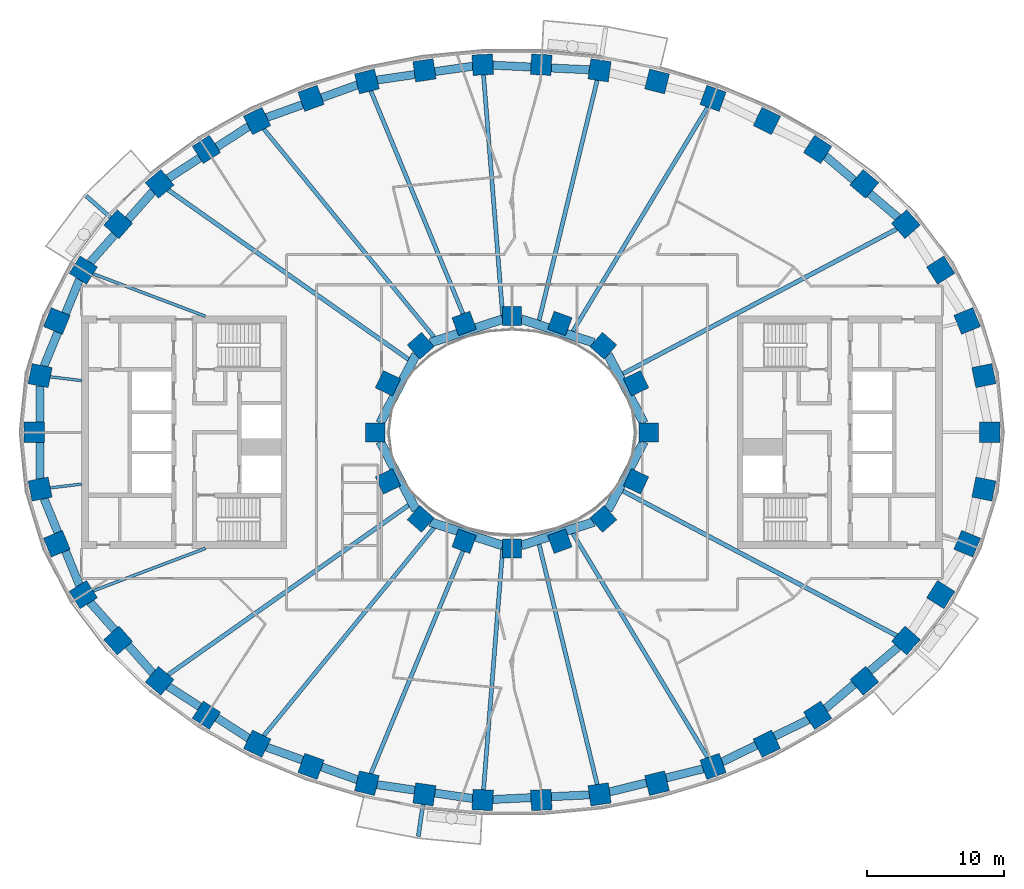
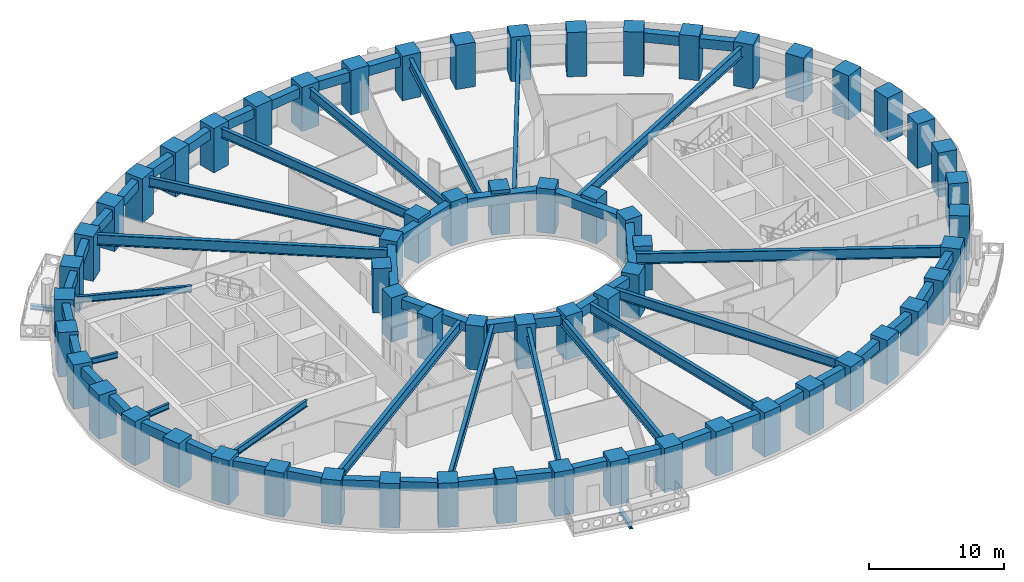
# One storey, part 1 of 16: 62 columns, 45 beams.
"""IFC4 building model written with IfcOpenShell, lengths in metres."""

from ifc_helpers import new_model, si_unit, direction, frame, origin, origin_2d, place, context, subcontext, project, spatial, rectangle, i_section, extrude, material, material_profile, profile_set, type_object, element, save


model = new_model("IFC4")

# Units and contexts
model_context = context("Model", 3, precision=1e-05, world=origin(), true_north=direction((0.0, 1.0)))
body_context = subcontext(model_context, "Body", "Model", "MODEL_VIEW")
ifc_project = project(units=[si_unit("LENGTHUNIT", "METRE"), si_unit("AREAUNIT", "SQUARE_METRE"), si_unit("VOLUMEUNIT", "CUBIC_METRE"), si_unit("PLANEANGLEUNIT", "RADIAN"), si_unit("MASSUNIT", "GRAM", prefix="KILO")], contexts=[model_context])

# Site, building, storey
site_placement = place(None, origin())
site = spatial("IfcSite", under=ifc_project, at=site_placement, CompositionType="ELEMENT")
building_placement = place(site_placement, origin())
building = spatial("IfcBuilding", under=site, at=building_placement, Name="Noorbagh Ring Tower", CompositionType="ELEMENT")
storey_placement = place(building_placement, frame((0.0, 0.0, 46.5)))
storey = spatial("IfcBuildingStorey", under=building, at=storey_placement, Name="L09", CompositionType="ELEMENT", Elevation=46.5)

# Columns
ifc_material_1 = material(Name="Concrete C70/85", Category="concrete")
ifc_material_profile_1 = material_profile(ifc_material_1, rectangle(XDim=1.5, YDim=1.5, at=origin_2d()), Name="RC1500x1500")
ifc_profile_set_1 = profile_set([ifc_material_profile_1], Name="Concrete C70/85")
column_type_1 = type_object("IfcColumnType", Name="STR-COL-RC1500x1500-C70-85", PredefinedType="COLUMN", material=ifc_profile_set_1)
for number, where, z_axis, x_axis, name in (
    (1, (34.944580078125, 0.0, 0.0), (0.0, 0.0, 1.0), (0.0, 1.0, 0.0), "L09/col/R1-01"),
    (2, (34.52685546875, 4.150634765625, 0.0), (0.0, 0.0, 1.0), (-0.19723040178, 0.9803571638, 0.0), "L09/col/R1-02"),
    (3, (33.30517578125, 8.1494140625, 0.0), (0.0, 0.0, 1.0), (-0.378989499959, 0.925400971969, 0.0), "L09/col/R1-03"),
    (4, (31.364990234375, 11.87109375, 0.0), (0.0, 0.0, 1.0), (-0.535190403059, 0.844731455833, 0.0), "L09/col/R1-04"),
    (5, (28.81884765625, 15.23046875, 0.0), (0.0, 0.0, 1.0), (-0.662635642662, 0.748941923699, 0.0), "L09/col/R1-05"),
    (6, (25.78271484375, 18.180419921875, 0.0), (0.0, 0.0, 1.0), (-0.763035199656, 0.646356932419, 0.0), "L09/col/R1-06"),
    (7, (22.362060546875, 20.699951171875, 0.0), (0.0, 0.0, 1.0), (-0.840247639643, 0.542202825586, 0.0), "L09/col/R1-07"),
    (8, (18.646240234375, 22.785400390625, 0.0), (0.0, 0.0, 1.0), (-0.898399080868, 0.439180021741, 0.0), "L09/col/R1-08"),
    (9, (14.70947265625, 24.44091796875, 0.0), (0.0, 0.0, 1.0), (-0.941024726094, 0.338337797003, 0.0), "L09/col/R1-09"),
    (10, (10.61328125, 25.673583984375, 0.0), (0.0, 0.0, 1.0), (-0.970829360981, 0.239771457553, 0.0), "L09/col/R1-10"),
    (11, (6.4091796875, 26.49072265625, 0.0), (0.0, 0.0, 1.0), (-0.989713114048, 0.143066249975, 0.0), "L09/col/R1-11"),
    (12, (2.14306640625, 26.89794921875, 0.0), (0.0, 0.0, 1.0), (-0.998868731212, 0.047552684538, 0.0), "L09/col/R1-12"),
    (13, (-2.14306640625, 26.89794921875, 0.0), (0.0, 0.0, 1.0), (-0.998868731212, -0.047552684538, 0.0), "L09/col/R1-13"),
    (14, (-6.4091796875, 26.49072265625, 0.0), (0.0, 0.0, 1.0), (-0.989713114048, -0.143066249975, 0.0), "L09/col/R1-14"),
    (15, (-10.61328125, 25.673583984375, 0.0), (0.0, 0.0, 1.0), (-0.970829360981, -0.239771457553, 0.0), "L09/col/R1-15"),
    (16, (-14.70947265625, 24.44091796875, 0.0), (0.0, 0.0, 1.0), (-0.941024726094, -0.338337797003, 0.0), "L09/col/R1-16"),
    (17, (-18.646240234375, 22.785400390625, 0.0), (0.0, 0.0, 1.0), (-0.898399080868, -0.439180021741, 0.0), "L09/col/R1-17"),
    (18, (-22.362060546875, 20.699951171875, 0.0), (0.0, 0.0, 1.0), (-0.840247639643, -0.542202825586, 0.0), "L09/col/R1-18"),
    (19, (-25.78271484375, 18.180419921875, 0.0), (0.0, 0.0, 1.0), (-0.763035199656, -0.646356932419, 0.0), "L09/col/R1-19"),
    (20, (-28.81884765625, 15.23046875, 0.0), (0.0, 0.0, 1.0), (-0.662635642662, -0.748941923699, 0.0), "L09/col/R1-20"),
    (21, (-31.364990234375, 11.87109375, 0.0), (0.0, 0.0, 1.0), (-0.535190403059, -0.844731455833, 0.0), "L09/col/R1-21"),
    (22, (-33.30517578125, 8.1494140625, 0.0), (0.0, 0.0, 1.0), (-0.378989499959, -0.925400971969, 0.0), "L09/col/R1-22"),
    (23, (-34.52685546875, 4.150634765625, 0.0), (0.0, 0.0, 1.0), (-0.19723040178, -0.9803571638, 0.0), "L09/col/R1-23"),
    (24, (-34.944580078125, 0.0, 0.0), (0.0, 0.0, 1.0), (0.0, -1.0, 0.0), "L09/col/R1-24"),
    (25, (-34.52685546875, -4.150634765625, 0.0), (0.0, 0.0, 1.0), (0.19723040178, -0.9803571638, 0.0), "L09/col/R1-25"),
    (26, (-33.30517578125, -8.1494140625, 0.0), (0.0, 0.0, 1.0), (0.378989499959, -0.925400971969, 0.0), "L09/col/R1-26"),
    (27, (-31.364990234375, -11.87109375, 0.0), (0.0, 0.0, 1.0), (0.535190403059, -0.844731455833, 0.0), "L09/col/R1-27"),
    (28, (-28.81884765625, -15.23046875, 0.0), (0.0, 0.0, 1.0), (0.662635642662, -0.748941923699, 0.0), "L09/col/R1-28"),
    (29, (-25.78271484375, -18.180419921875, 0.0), (0.0, 0.0, 1.0), (0.763035199656, -0.646356932419, 0.0), "L09/col/R1-29"),
    (30, (-22.362060546875, -20.699951171875, 0.0), (0.0, 0.0, 1.0), (0.840247639643, -0.542202825586, 0.0), "L09/col/R1-30"),
    (31, (-18.646240234375, -22.785400390625, 0.0), (0.0, 0.0, 1.0), (0.898399080868, -0.439180021741, 0.0), "L09/col/R1-31"),
    (32, (-14.70947265625, -24.44091796875, 0.0), (0.0, 0.0, 1.0), (0.941024726094, -0.338337797003, 0.0), "L09/col/R1-32"),
    (33, (-10.61328125, -25.673583984375, 0.0), (0.0, 0.0, 1.0), (0.970829360981, -0.239771457553, 0.0), "L09/col/R1-33"),
    (34, (-6.4091796875, -26.49072265625, 0.0), (0.0, 0.0, 1.0), (0.989713114048, -0.143066249975, 0.0), "L09/col/R1-34"),
    (35, (-2.14306640625, -26.89794921875, 0.0), (0.0, 0.0, 1.0), (0.998868731212, -0.047552684538, 0.0), "L09/col/R1-35"),
    (36, (2.14306640625, -26.89794921875, 0.0), (0.0, 0.0, 1.0), (0.998868731212, 0.047552684538, 0.0), "L09/col/R1-36"),
    (37, (6.4091796875, -26.49072265625, 0.0), (0.0, 0.0, 1.0), (0.989713114048, 0.143066249975, 0.0), "L09/col/R1-37"),
    (38, (10.61328125, -25.673583984375, 0.0), (0.0, 0.0, 1.0), (0.970829360981, 0.239771457553, 0.0), "L09/col/R1-38"),
    (39, (14.70947265625, -24.44091796875, 0.0), (0.0, 0.0, 1.0), (0.941024726094, 0.338337797003, 0.0), "L09/col/R1-39"),
    (40, (18.646240234375, -22.785400390625, 0.0), (0.0, 0.0, 1.0), (0.898399080868, 0.439180021741, 0.0), "L09/col/R1-40"),
    (41, (22.362060546875, -20.699951171875, 0.0), (0.0, 0.0, 1.0), (0.840247639643, 0.542202825586, 0.0), "L09/col/R1-41"),
    (42, (25.78271484375, -18.180419921875, 0.0), (0.0, 0.0, 1.0), (0.763035199656, 0.646356932419, 0.0), "L09/col/R1-42"),
    (43, (28.81884765625, -15.23046875, 0.0), (0.0, 0.0, 1.0), (0.662635642662, 0.748941923699, 0.0), "L09/col/R1-43"),
    (44, (31.364990234375, -11.87109375, 0.0), (0.0, 0.0, 1.0), (0.535190403059, 0.844731455833, 0.0), "L09/col/R1-44"),
    (45, (33.30517578125, -8.1494140625, 0.0), (0.0, 0.0, 1.0), (0.378989499959, 0.925400971969, 0.0), "L09/col/R1-45"),
    (46, (34.52685546875, -4.150634765625, 0.0), (0.0, 0.0, 1.0), (0.19723040178, 0.9803571638, 0.0), "L09/col/R1-46"),
):
    element("IfcColumn", number, at=place(storey_placement, frame(where, z_axis=z_axis, x_axis=x_axis)), inside=storey, type_object=column_type_1, Name=name, PredefinedType="COLUMN", context=body_context, shape_type="SweptSolid", body=[
        extrude(rectangle(XDim=1.5, YDim=1.5, at=origin_2d()), origin(), (0.0, 0.0, 1.0), 4.0),
    ])
ifc_material_2 = material(Name="Concrete C70/85", Category="concrete")
ifc_material_profile_2 = material_profile(ifc_material_2, rectangle(XDim=1.39990234375, YDim=1.39990234375, at=origin_2d()), Name="RC1400x1400")
ifc_profile_set_2 = profile_set([ifc_material_profile_2], Name="Concrete C70/85")
column_type_2 = type_object("IfcColumnType", Name="STR-ICOL-RC1400x1400-C70-85", PredefinedType="COLUMN", material=ifc_profile_set_2)
for number, where, z_axis, x_axis, name in (
    (47, (10.00830078125, 0.0, 0.0), (0.0, 0.0, 1.0), (0.0, 1.0, 0.0), "L09/col/IR2-W01"),
    (48, (9.07568359375, 3.58837890625, 0.0), (0.0, 0.0, 1.0), (-0.428666979171, 0.903462573087, 0.0), "L09/col/IR2-W03"),
    (49, (6.68212890625, 6.333740234375, 0.0), (0.0, 0.0, 1.0), (-0.75102249095, 0.660276622399, 0.0), "L09/col/IR2-W05"),
    (50, (3.5009765625, 7.967041015625, 0.0), (0.0, 0.0, 1.0), (-0.939019578916, 0.343863679984, 0.0), "L09/col/IR2-W07"),
    (51, (0.0, 8.5029296875, 0.0), (0.0, 0.0, 1.0), (-1.0, 0.0, 0.0), "L09/col/IR2-W09"),
    (52, (-3.5009765625, 7.967041015625, 0.0), (0.0, 0.0, 1.0), (-0.939019578916, -0.343863679984, 0.0), "L09/col/IR2-W11"),
    (53, (-6.68212890625, 6.333740234375, 0.0), (0.0, 0.0, 1.0), (-0.75102249095, -0.660276622399, 0.0), "L09/col/IR2-W13"),
    (54, (-9.07568359375, 3.58837890625, 0.0), (0.0, 0.0, 1.0), (-0.428666979171, -0.903462573087, 0.0), "L09/col/IR2-W15"),
    (55, (-10.00830078125, 0.0, 0.0), (0.0, 0.0, 1.0), (0.0, -1.0, 0.0), "L09/col/IR2-W17"),
    (56, (-9.07568359375, -3.58837890625, 0.0), (0.0, 0.0, 1.0), (0.428666979171, -0.903462573087, 0.0), "L09/col/IR2-W19"),
    (57, (-6.68212890625, -6.333740234375, 0.0), (0.0, 0.0, 1.0), (0.75102249095, -0.660276622399, 0.0), "L09/col/IR2-W21"),
    (58, (-3.5009765625, -7.967041015625, 0.0), (0.0, 0.0, 1.0), (0.939019578916, -0.343863679984, 0.0), "L09/col/IR2-W23"),
    (59, (0.0, -8.5029296875, 0.0), (0.0, 0.0, 1.0), (1.0, 0.0, 0.0), "L09/col/IR2-W25"),
    (60, (3.5009765625, -7.967041015625, 0.0), (0.0, 0.0, 1.0), (0.939019578916, 0.343863679984, 0.0), "L09/col/IR2-W27"),
    (61, (6.68212890625, -6.333740234375, 0.0), (0.0, 0.0, 1.0), (0.75102249095, 0.660276622399, 0.0), "L09/col/IR2-W29"),
    (62, (9.07568359375, -3.58837890625, 0.0), (0.0, 0.0, 1.0), (0.428666979171, 0.903462573087, 0.0), "L09/col/IR2-W31"),
):
    element("IfcColumn", number, at=place(storey_placement, frame(where, z_axis=z_axis, x_axis=x_axis)), inside=storey, type_object=column_type_2, Name=name, PredefinedType="COLUMN", context=body_context, shape_type="SweptSolid", body=[
        extrude(rectangle(XDim=1.39990234375, YDim=1.39990234375, at=origin_2d()), origin(), (0.0, 0.0, 1.0), 4.0),
    ])

# Beams
ifc_material_3 = material(Name="Steel S355", Category="steel")
ifc_material_profile_3 = material_profile(ifc_material_3, i_section(OverallWidth=0.300048828125, OverallDepth=0.39990234375, WebThickness=0.013427734375, FlangeThickness=0.02392578125, FilletRadius=0.027099609375, at=origin_2d()), Name="HEB400")
ifc_profile_set_3 = profile_set([ifc_material_profile_3], Name="Steel S355")
beam_type_1 = type_object("IfcBeamType", Name="STR-BALCONY-BRACKET-HEB400", PredefinedType="BEAM", material=ifc_profile_set_3)
beam_1_placement = place(storey_placement, frame((-29.36572265625, 15.714111328125, -0.5), z_axis=(-0.749031813993, 0.662534030542, 0.0), x_axis=(-0.662534030542, -0.749031813993, 0.0)))
element("IfcBeam", 63, at=beam_1_placement, inside=storey, type_object=beam_type_1, Name="Balcony bracket beam BN06", PredefinedType="BEAM", context=body_context, shape_type="SweptSolid", body=[
    extrude(i_section(OverallWidth=0.300048828125, OverallDepth=0.39990234375, WebThickness=0.013427734375, FlangeThickness=0.02392578125, FilletRadius=0.027099609375, at=origin_2d()), origin(), (0.0, 0.0, 1.0), 2.37939453125),
])
beam_2_placement = place(storey_placement, frame((-6.513671875, -27.21337890625, -0.5), z_axis=(-0.143062628068, -0.989713637599, 0.0), x_axis=(0.989713637599, -0.143062628068, 0.0)))
element("IfcBeam", 64, at=beam_2_placement, inside=storey, type_object=beam_type_1, Name="Balcony bracket beam BS03", PredefinedType="BEAM", context=body_context, shape_type="SweptSolid", body=[
    extrude(i_section(OverallWidth=0.300048828125, OverallDepth=0.39990234375, WebThickness=0.013427734375, FlangeThickness=0.02392578125, FilletRadius=0.027099609375, at=origin_2d()), origin(), (0.0, 0.0, 1.0), 2.373779296875),
])
ifc_material_4 = material(Name="Steel S355", Category="steel")
ifc_material_profile_4 = material_profile(ifc_material_4, i_section(OverallWidth=0.199951171875, OverallDepth=0.5, WebThickness=0.01025390625, FlangeThickness=0.01611328125, FilletRadius=0.02099609375, at=origin_2d()), Name="IPE500")
ifc_profile_set_4 = profile_set([ifc_material_profile_4], Name="Steel S355")
beam_type_2 = type_object("IfcBeamType", Name="STR-RAD-IPE500", PredefinedType="BEAM", material=ifc_profile_set_4)
for number, where, z_axis, x_axis, name in (
    (65, (-33.799560546875, 4.063232421875, 3.449951171875), (0.992852090588, -0.119351272363, 0.0), (0.119351272363, 0.992852090588, 0.0), "L09/bm/RD23"),
    (66, (-33.799560546875, -4.063232421875, 3.449951171875), (0.992852090588, 0.119351272363, 0.0), (-0.119351272363, 0.992852090588, 0.0), "L09/bm/RD25"),
):
    element("IfcBeam", number, at=place(storey_placement, frame(where, z_axis=z_axis, x_axis=x_axis)), inside=storey, type_object=beam_type_2, Name=name, PredefinedType="BEAM", context=body_context, shape_type="SweptSolid", body=[
        extrude(i_section(OverallWidth=0.199951171875, OverallDepth=0.5, WebThickness=0.01025390625, FlangeThickness=0.01611328125, FilletRadius=0.02099609375, at=origin_2d()), origin(), (0.0, 0.0, 1.0), 2.3359375),
    ])
ifc_material_5 = material(Name="Steel S355", Category="steel")
ifc_material_profile_5 = material_profile(ifc_material_5, i_section(OverallWidth=0.219970703125, OverallDepth=0.60009765625, WebThickness=0.011962890625, FlangeThickness=0.01904296875, FilletRadius=0.02392578125, at=origin_2d()), Name="IPE600")
ifc_profile_set_5 = profile_set([ifc_material_profile_5], Name="Steel S355")
beam_type_3 = type_object("IfcBeamType", Name="STR-RAD-IPE600", PredefinedType="BEAM", material=ifc_profile_set_5)
for number, where, z_axis, x_axis, name in (
    (67, (-30.66748046875, 11.60693359375, 3.39990234375), (0.93525621499, -0.353971485184, 0.0), (0.353971485184, 0.93525621499, 0.0), "L09/bm/RD21"),
    (68, (-30.66748046875, -11.60693359375, 3.39990234375), (0.93525621499, 0.353971485184, 0.0), (-0.353971485184, 0.93525621499, 0.0), "L09/bm/RD27"),
):
    element("IfcBeam", number, at=place(storey_placement, frame(where, z_axis=z_axis, x_axis=x_axis)), inside=storey, type_object=beam_type_3, Name=name, PredefinedType="BEAM", context=body_context, shape_type="SweptSolid", body=[
        extrude(i_section(OverallWidth=0.219970703125, OverallDepth=0.60009765625, WebThickness=0.011962890625, FlangeThickness=0.01904296875, FilletRadius=0.02392578125, at=origin_2d()), origin(), (0.0, 0.0, 1.0), 8.79736328125),
    ])
ifc_material_6 = material(Name="Steel S355", Category="steel")
ifc_material_profile_6 = material_profile(ifc_material_6, i_section(OverallWidth=0.300048828125, OverallDepth=0.85009765625, WebThickness=0.013916015625, FlangeThickness=0.028076171875, at=origin_2d()), Name="PG850x300x14x28")
ifc_profile_set_6 = profile_set([ifc_material_profile_6], Name="Steel S355")
beam_type_4 = type_object("IfcBeamType", Name="STR-RAD-PG850x300x14x28", PredefinedType="BEAM", material=ifc_profile_set_6)
beam_3_placement = place(storey_placement, frame((14.325439453125, 23.802734375, 3.27490234375), z_axis=(-0.515656740038, -0.856795265191, 0.0), x_axis=(0.856795265191, -0.515656740038, 0.0)))
element("IfcBeam", 69, at=beam_3_placement, inside=storey, type_object=beam_type_4, Name="L09/bm/RD09", PredefinedType="BEAM", context=body_context, shape_type="SweptSolid", body=[
    extrude(i_section(OverallWidth=0.300048828125, OverallDepth=0.85009765625, WebThickness=0.013916015625, FlangeThickness=0.028076171875, at=origin_2d()), origin(), (0.0, 0.0, 1.0), 19.16552734375),
])
beam_4_placement = place(storey_placement, frame((6.23681640625, 25.778076171875, 3.27490234375), z_axis=(-0.235164261049, -0.971955642159, 0.0), x_axis=(0.971955642159, -0.235164261049, 0.0)))
element("IfcBeam", 70, at=beam_4_placement, inside=storey, type_object=beam_type_4, Name="L09/bm/RD11", PredefinedType="BEAM", context=body_context, shape_type="SweptSolid", body=[
    extrude(i_section(OverallWidth=0.300048828125, OverallDepth=0.85009765625, WebThickness=0.013916015625, FlangeThickness=0.028076171875, at=origin_2d()), origin(), (0.0, 0.0, 1.0), 18.104736328125),
])
beam_5_placement = place(storey_placement, frame((-2.085205078125, 26.169921875, 3.27490234375), z_axis=(0.079431823064, -0.996840300893, 0.0), x_axis=(0.996840300893, 0.079431823064, 0.0)))
element("IfcBeam", 71, at=beam_5_placement, inside=storey, type_object=beam_type_4, Name="L09/bm/RD13", PredefinedType="BEAM", context=body_context, shape_type="SweptSolid", body=[
    extrude(i_section(OverallWidth=0.300048828125, OverallDepth=0.85009765625, WebThickness=0.013916015625, FlangeThickness=0.028076171875, at=origin_2d()), origin(), (0.0, 0.0, 1.0), 18.05126953125),
])
beam_6_placement = place(storey_placement, frame((-10.3310546875, 24.9912109375, 3.27490234375), z_axis=(0.382027192106, -0.924151083152, 0.0), x_axis=(0.924151083152, 0.382027192106, 0.0)))
element("IfcBeam", 72, at=beam_6_placement, inside=storey, type_object=beam_type_4, Name="L09/bm/RD15", PredefinedType="BEAM", context=body_context, shape_type="SweptSolid", body=[
    extrude(i_section(OverallWidth=0.300048828125, OverallDepth=0.85009765625, WebThickness=0.013916015625, FlangeThickness=0.028076171875, at=origin_2d()), origin(), (0.0, 0.0, 1.0), 18.624267578125),
])
for number, where, z_axis, x_axis, name in (
    (73, (-18.1708984375, 22.20458984375, 3.27490234375), (0.633309388091, -0.773898713628, 0.0), (0.773898713628, 0.633309388091, 0.0), "L09/bm/RD17"),
    (74, (-18.1708984375, -22.20458984375, 3.27490234375), (0.633309388091, 0.773898713628, 0.0), (-0.773898713628, 0.633309388091, 0.0), "L09/bm/RD31"),
):
    element("IfcBeam", number, at=place(storey_placement, frame(where, z_axis=z_axis, x_axis=x_axis)), inside=storey, type_object=beam_type_4, Name=name, PredefinedType="BEAM", context=body_context, shape_type="SweptSolid", body=[
        extrude(i_section(OverallWidth=0.300048828125, OverallDepth=0.85009765625, WebThickness=0.013916015625, FlangeThickness=0.028076171875, at=origin_2d()), origin(), (0.0, 0.0, 1.0), 19.68212890625),
    ])
beam_7_placement = place(storey_placement, frame((-10.3310546875, -24.9912109375, 3.27490234375), z_axis=(0.382027192106, 0.924151083152, 0.0), x_axis=(-0.924151083152, 0.382027192106, 0.0)))
element("IfcBeam", 75, at=beam_7_placement, inside=storey, type_object=beam_type_4, Name="L09/bm/RD33", PredefinedType="BEAM", context=body_context, shape_type="SweptSolid", body=[
    extrude(i_section(OverallWidth=0.300048828125, OverallDepth=0.85009765625, WebThickness=0.013916015625, FlangeThickness=0.028076171875, at=origin_2d()), origin(), (0.0, 0.0, 1.0), 18.624267578125),
])
beam_8_placement = place(storey_placement, frame((-2.085205078125, -26.169921875, 3.27490234375), z_axis=(0.079431823064, 0.996840300893, 0.0), x_axis=(-0.996840300893, 0.079431823064, 0.0)))
element("IfcBeam", 76, at=beam_8_placement, inside=storey, type_object=beam_type_4, Name="L09/bm/RD35", PredefinedType="BEAM", context=body_context, shape_type="SweptSolid", body=[
    extrude(i_section(OverallWidth=0.300048828125, OverallDepth=0.85009765625, WebThickness=0.013916015625, FlangeThickness=0.028076171875, at=origin_2d()), origin(), (0.0, 0.0, 1.0), 18.05126953125),
])
beam_9_placement = place(storey_placement, frame((6.23681640625, -25.778076171875, 3.27490234375), z_axis=(-0.235164261049, 0.971955642159, 0.0), x_axis=(-0.971955642159, -0.235164261049, 0.0)))
element("IfcBeam", 77, at=beam_9_placement, inside=storey, type_object=beam_type_4, Name="L09/bm/RD37", PredefinedType="BEAM", context=body_context, shape_type="SweptSolid", body=[
    extrude(i_section(OverallWidth=0.300048828125, OverallDepth=0.85009765625, WebThickness=0.013916015625, FlangeThickness=0.028076171875, at=origin_2d()), origin(), (0.0, 0.0, 1.0), 18.104736328125),
])
beam_10_placement = place(storey_placement, frame((14.325439453125, -23.802734375, 3.27490234375), z_axis=(-0.515656740038, 0.856795265191, 0.0), x_axis=(-0.856795265191, -0.515656740038, 0.0)))
element("IfcBeam", 78, at=beam_10_placement, inside=storey, type_object=beam_type_4, Name="L09/bm/RD39", PredefinedType="BEAM", context=body_context, shape_type="SweptSolid", body=[
    extrude(i_section(OverallWidth=0.300048828125, OverallDepth=0.85009765625, WebThickness=0.013916015625, FlangeThickness=0.028076171875, at=origin_2d()), origin(), (0.0, 0.0, 1.0), 19.16552734375),
])
ifc_material_7 = material(Name="Steel S355", Category="steel")
ifc_material_profile_7 = material_profile(ifc_material_7, i_section(OverallWidth=0.320068359375, OverallDepth=0.949951171875, WebThickness=0.01611328125, FlangeThickness=0.030029296875, at=origin_2d()), Name="PG950x320x16x30")
ifc_profile_set_7 = profile_set([ifc_material_profile_7], Name="Steel S355")
beam_type_5 = type_object("IfcBeamType", Name="STR-RAD-PG950x320x16x30", PredefinedType="BEAM", material=ifc_profile_set_7)
beam_11_placement = place(storey_placement, frame((28.154052734375, 14.879150390625, 3.22509765625), z_axis=(-0.88412365795, -0.467252990844, 0.0), x_axis=(0.467252990844, -0.88412365795, 0.0)))
element("IfcBeam", 79, at=beam_11_placement, inside=storey, type_object=beam_type_5, Name="L09/bm/RD05", PredefinedType="BEAM", context=body_context, shape_type="SweptSolid", body=[
    extrude(i_section(OverallWidth=0.320068359375, OverallDepth=0.949951171875, WebThickness=0.01611328125, FlangeThickness=0.030029296875, at=origin_2d()), origin(), (0.0, 0.0, 1.0), 22.67822265625),
])
for number, where, z_axis, x_axis, name in (
    (80, (-25.165771484375, 17.745361328125, 3.22509765625), (0.817254439709, -0.576277000041, 0.0), (0.576277000041, 0.817254439709, 0.0), "L09/bm/RD19"),
    (81, (-25.165771484375, -17.745361328125, 3.22509765625), (0.817254439709, 0.576277000041, 0.0), (-0.576277000041, 0.817254439709, 0.0), "L09/bm/RD29"),
):
    element("IfcBeam", number, at=place(storey_placement, frame(where, z_axis=z_axis, x_axis=x_axis)), inside=storey, type_object=beam_type_5, Name=name, PredefinedType="BEAM", context=body_context, shape_type="SweptSolid", body=[
        extrude(i_section(OverallWidth=0.320068359375, OverallDepth=0.949951171875, WebThickness=0.01611328125, FlangeThickness=0.030029296875, at=origin_2d()), origin(), (0.0, 0.0, 1.0), 21.548095703125),
    ])
beam_12_placement = place(storey_placement, frame((28.154052734375, -14.879150390625, 3.22509765625), z_axis=(-0.88412365795, 0.467252990844, 0.0), x_axis=(-0.467252990844, -0.88412365795, 0.0)))
element("IfcBeam", 82, at=beam_12_placement, inside=storey, type_object=beam_type_5, Name="L09/bm/RD43", PredefinedType="BEAM", context=body_context, shape_type="SweptSolid", body=[
    extrude(i_section(OverallWidth=0.320068359375, OverallDepth=0.949951171875, WebThickness=0.01611328125, FlangeThickness=0.030029296875, at=origin_2d()), origin(), (0.0, 0.0, 1.0), 22.67822265625),
])
ifc_material_8 = material(Name="Concrete C40/50", Category="concrete")
ifc_material_profile_8 = material_profile(ifc_material_8, rectangle(XDim=0.64990234375, YDim=0.85009765625, at=origin_2d()), Name="RC650x850")
ifc_profile_set_8 = profile_set([ifc_material_profile_8], Name="Concrete C40/50")
beam_type_6 = type_object("IfcBeamType", Name="STR-RB-RC650x850-C40-50", PredefinedType="BEAM", material=ifc_profile_set_8)
beam_13_placement = place(storey_placement, frame((9.650146484375, 0.682373046875, 3.27490234375), z_axis=(-0.464950685644, 0.885336580019, 0.0), x_axis=(-0.885336580019, -0.464950685644, 0.0)))
element("IfcBeam", 83, at=beam_13_placement, inside=storey, type_object=beam_type_6, Name="L09/bm/RG01", PredefinedType="BEAM", context=body_context, shape_type="SweptSolid", body=[
    extrude(rectangle(XDim=0.64990234375, YDim=0.85009765625, at=origin_2d()), origin(), (0.0, 0.0, 1.0), 5.653564453125),
])
for number, where, z_axis, x_axis, name in (
    (84, (5.97607421875, 6.56298828125, 3.27490234375), (-0.951149054478, 0.3087320459, 0.0), (-0.3087320459, -0.951149054478, 0.0), "L09/bm/RG03"),
    (85, (-0.680908203125, 8.28173828125, 3.27490234375), (-0.951149054478, -0.3087320459, 0.0), (0.3087320459, -0.951149054478, 0.0), "L09/bm/RG05"),
):
    element("IfcBeam", number, at=place(storey_placement, frame(where, z_axis=z_axis, x_axis=x_axis)), inside=storey, type_object=beam_type_6, Name=name, PredefinedType="BEAM", context=body_context, shape_type="SweptSolid", body=[
        extrude(rectangle(XDim=0.64990234375, YDim=0.85009765625, at=origin_2d()), origin(), (0.0, 0.0, 1.0), 5.567138671875),
    ])
for number, where, z_axis, x_axis, name in (
    (86, (-7.021484375, 5.687744140625, 3.27490234375), (-0.464950685644, -0.885336580019, 0.0), (0.885336580019, -0.464950685644, 0.0), "L09/bm/RG07"),
    (87, (-9.650146484375, -0.682373046875, 3.27490234375), (0.464950685644, -0.885336580019, 0.0), (0.885336580019, 0.464950685644, 0.0), "L09/bm/RG09"),
):
    element("IfcBeam", number, at=place(storey_placement, frame(where, z_axis=z_axis, x_axis=x_axis)), inside=storey, type_object=beam_type_6, Name=name, PredefinedType="BEAM", context=body_context, shape_type="SweptSolid", body=[
        extrude(rectangle(XDim=0.64990234375, YDim=0.85009765625, at=origin_2d()), origin(), (0.0, 0.0, 1.0), 5.653564453125),
    ])
for number, where, z_axis, x_axis, name in (
    (88, (-5.97607421875, -6.56298828125, 3.27490234375), (0.951149054478, -0.3087320459, 0.0), (0.3087320459, 0.951149054478, 0.0), "L09/bm/RG11"),
    (89, (0.680908203125, -8.28173828125, 3.27490234375), (0.951149054478, 0.3087320459, 0.0), (-0.3087320459, 0.951149054478, 0.0), "L09/bm/RG13"),
):
    element("IfcBeam", number, at=place(storey_placement, frame(where, z_axis=z_axis, x_axis=x_axis)), inside=storey, type_object=beam_type_6, Name=name, PredefinedType="BEAM", context=body_context, shape_type="SweptSolid", body=[
        extrude(rectangle(XDim=0.64990234375, YDim=0.85009765625, at=origin_2d()), origin(), (0.0, 0.0, 1.0), 5.567138671875),
    ])
beam_14_placement = place(storey_placement, frame((7.021484375, -5.687744140625, 3.27490234375), z_axis=(0.464950685644, 0.885336580019, 0.0), x_axis=(-0.885336580019, 0.464950685644, 0.0)))
element("IfcBeam", 90, at=beam_14_placement, inside=storey, type_object=beam_type_6, Name="L09/bm/RG15", PredefinedType="BEAM", context=body_context, shape_type="SweptSolid", body=[
    extrude(rectangle(XDim=0.64990234375, YDim=0.85009765625, at=origin_2d()), origin(), (0.0, 0.0, 1.0), 5.653564453125),
])
ifc_material_9 = material(Name="Concrete C40/50", Category="concrete")
ifc_material_profile_9 = material_profile(ifc_material_9, rectangle(XDim=0.60009765625, YDim=0.85009765625, at=origin_2d()), Name="RC600x850")
ifc_profile_set_9 = profile_set([ifc_material_profile_9], Name="Concrete C40/50")
beam_type_7 = type_object("IfcBeamType", Name="STR-SB-RC600x850-C40-50", PredefinedType="BEAM", material=ifc_profile_set_9)
beam_15_placement = place(storey_placement, frame((28.255859375, 15.707275390625, 3.27490234375), z_axis=(-0.763024386832, 0.646369696922, 0.0), x_axis=(-0.646369696922, -0.763024386832, 0.0)))
element("IfcBeam", 91, at=beam_15_placement, inside=storey, type_object=beam_type_7, Name="L09/bm/SP05", PredefinedType="BEAM", context=body_context, shape_type="SweptSolid", body=[
    extrude(rectangle(XDim=0.60009765625, YDim=0.85009765625, at=origin_2d()), origin(), (0.0, 0.0, 1.0), 6.988037109375),
])
beam_16_placement = place(storey_placement, frame((5.676513671875, 26.525634765625, 3.27490234375), z_axis=(-0.998868682603, 0.047553705583, 0.0), x_axis=(-0.047553705583, -0.998868682603, 0.0)))
element("IfcBeam", 92, at=beam_16_placement, inside=storey, type_object=beam_type_7, Name="L09/bm/SP11", PredefinedType="BEAM", context=body_context, shape_type="SweptSolid", body=[
    extrude(rectangle(XDim=0.60009765625, YDim=0.85009765625, at=origin_2d()), origin(), (0.0, 0.0, 1.0), 7.09521484375),
])
beam_17_placement = place(storey_placement, frame((-2.869140625, 26.79296875, 3.27490234375), z_axis=(-0.989714712052, -0.14305519476, 0.0), x_axis=(0.14305519476, -0.989714712052, 0.0)))
element("IfcBeam", 93, at=beam_17_placement, inside=storey, type_object=beam_type_7, Name="L09/bm/SP13", PredefinedType="BEAM", context=body_context, shape_type="SweptSolid", body=[
    extrude(rectangle(XDim=0.60009765625, YDim=0.85009765625, at=origin_2d()), origin(), (0.0, 0.0, 1.0), 7.091064453125),
])
beam_18_placement = place(storey_placement, frame((-11.303955078125, 25.42529296875, 3.27490234375), z_axis=(-0.941024719218, -0.338337816127, 0.0), x_axis=(0.338337816127, -0.941024719218, 0.0)))
element("IfcBeam", 94, at=beam_18_placement, inside=storey, type_object=beam_type_7, Name="L09/bm/SP15", PredefinedType="BEAM", context=body_context, shape_type="SweptSolid", body=[
    extrude(rectangle(XDim=0.60009765625, YDim=0.85009765625, at=origin_2d()), origin(), (0.0, 0.0, 1.0), 7.06787109375),
])
beam_19_placement = place(storey_placement, frame((-19.26416015625, 22.38671875, 3.27490234375), z_axis=(-0.840248616013, -0.54220131251, 0.0), x_axis=(0.54220131251, -0.840248616013, 0.0)))
element("IfcBeam", 95, at=beam_19_placement, inside=storey, type_object=beam_type_7, Name="L09/bm/SP17", PredefinedType="BEAM", context=body_context, shape_type="SweptSolid", body=[
    extrude(rectangle(XDim=0.60009765625, YDim=0.85009765625, at=origin_2d()), origin(), (0.0, 0.0, 1.0), 7.021728515625),
])
beam_20_placement = place(storey_placement, frame((-26.271728515625, 17.627685546875, 3.27490234375), z_axis=(-0.662649709282, -0.748929477847, 0.0), x_axis=(0.748929477847, -0.662649709282, 0.0)))
element("IfcBeam", 96, at=beam_20_placement, inside=storey, type_object=beam_type_7, Name="L09/bm/SP19", PredefinedType="BEAM", context=body_context, shape_type="SweptSolid", body=[
    extrude(rectangle(XDim=0.60009765625, YDim=0.85009765625, at=origin_2d()), origin(), (0.0, 0.0, 1.0), 6.94677734375),
])
beam_21_placement = place(storey_placement, frame((-31.646240234375, 11.1845703125, 3.27490234375), z_axis=(-0.378965542347, -0.925410783228, 0.0), x_axis=(0.925410783228, -0.378965542347, 0.0)))
element("IfcBeam", 97, at=beam_21_placement, inside=storey, type_object=beam_type_7, Name="L09/bm/SP21", PredefinedType="BEAM", context=body_context, shape_type="SweptSolid", body=[
    extrude(rectangle(XDim=0.60009765625, YDim=0.85009765625, at=origin_2d()), origin(), (0.0, 0.0, 1.0), 6.857177734375),
])
beam_22_placement = place(storey_placement, frame((-34.52685546875, 3.40576171875, 3.27490234375), z_axis=(0.0, -1.0, 0.0), x_axis=(1.0, 0.0, 0.0)))
element("IfcBeam", 98, at=beam_22_placement, inside=storey, type_object=beam_type_7, Name="L09/bm/SP23", PredefinedType="BEAM", context=body_context, shape_type="SweptSolid", body=[
    extrude(rectangle(XDim=0.60009765625, YDim=0.85009765625, at=origin_2d()), origin(), (0.0, 0.0, 1.0), 6.8115234375),
])
beam_23_placement = place(storey_placement, frame((-34.244873046875, -4.8388671875, 3.27490234375), z_axis=(0.378965542347, -0.925410783228, 0.0), x_axis=(0.925410783228, 0.378965542347, 0.0)))
element("IfcBeam", 99, at=beam_23_placement, inside=storey, type_object=beam_type_7, Name="L09/bm/SP25", PredefinedType="BEAM", context=body_context, shape_type="SweptSolid", body=[
    extrude(rectangle(XDim=0.60009765625, YDim=0.85009765625, at=origin_2d()), origin(), (0.0, 0.0, 1.0), 6.857177734375),
])
beam_24_placement = place(storey_placement, frame((-30.875, -12.425048828125, 3.27490234375), z_axis=(0.662649709282, -0.748929477847, 0.0), x_axis=(0.748929477847, 0.662649709282, 0.0)))
element("IfcBeam", 100, at=beam_24_placement, inside=storey, type_object=beam_type_7, Name="L09/bm/SP27", PredefinedType="BEAM", context=body_context, shape_type="SweptSolid", body=[
    extrude(rectangle(XDim=0.60009765625, YDim=0.85009765625, at=origin_2d()), origin(), (0.0, 0.0, 1.0), 6.94677734375),
])
beam_25_placement = place(storey_placement, frame((-25.1640625, -18.57958984375, 3.27490234375), z_axis=(0.840248616013, -0.54220131251, 0.0), x_axis=(0.54220131251, 0.840248616013, 0.0)))
element("IfcBeam", 101, at=beam_25_placement, inside=storey, type_object=beam_type_7, Name="L09/bm/SP29", PredefinedType="BEAM", context=body_context, shape_type="SweptSolid", body=[
    extrude(rectangle(XDim=0.60009765625, YDim=0.85009765625, at=origin_2d()), origin(), (0.0, 0.0, 1.0), 7.021728515625),
])
beam_26_placement = place(storey_placement, frame((-17.955078125, -23.033935546875, 3.27490234375), z_axis=(0.941024719218, -0.338337816127, 0.0), x_axis=(0.338337816127, 0.941024719218, 0.0)))
element("IfcBeam", 102, at=beam_26_placement, inside=storey, type_object=beam_type_7, Name="L09/bm/SP31", PredefinedType="BEAM", context=body_context, shape_type="SweptSolid", body=[
    extrude(rectangle(XDim=0.60009765625, YDim=0.85009765625, at=origin_2d()), origin(), (0.0, 0.0, 1.0), 7.06787109375),
])
beam_27_placement = place(storey_placement, frame((-9.88720703125, -25.778564453125, 3.27490234375), z_axis=(0.989714712052, -0.14305519476, 0.0), x_axis=(0.14305519476, 0.989714712052, 0.0)))
element("IfcBeam", 103, at=beam_27_placement, inside=storey, type_object=beam_type_7, Name="L09/bm/SP33", PredefinedType="BEAM", context=body_context, shape_type="SweptSolid", body=[
    extrude(rectangle(XDim=0.60009765625, YDim=0.85009765625, at=origin_2d()), origin(), (0.0, 0.0, 1.0), 7.091064453125),
])
beam_28_placement = place(storey_placement, frame((-1.41064453125, -26.863037109375, 3.27490234375), z_axis=(0.998868682603, 0.047553705583, 0.0), x_axis=(-0.047553705583, 0.998868682603, 0.0)))
element("IfcBeam", 104, at=beam_28_placement, inside=storey, type_object=beam_type_7, Name="L09/bm/SP35", PredefinedType="BEAM", context=body_context, shape_type="SweptSolid", body=[
    extrude(rectangle(XDim=0.60009765625, YDim=0.85009765625, at=origin_2d()), origin(), (0.0, 0.0, 1.0), 7.09521484375),
])
beam_29_placement = place(storey_placement, frame((7.12158203125, -26.31494140625, 3.27490234375), z_axis=(0.970830070282, 0.23976858559, 0.0), x_axis=(-0.23976858559, 0.970830070282, 0.0)))
element("IfcBeam", 105, at=beam_29_placement, inside=storey, type_object=beam_type_7, Name="L09/bm/SP37", PredefinedType="BEAM", context=body_context, shape_type="SweptSolid", body=[
    extrude(rectangle(XDim=0.60009765625, YDim=0.85009765625, at=origin_2d()), origin(), (0.0, 0.0, 1.0), 7.081787109375),
])
beam_30_placement = place(storey_placement, frame((15.369384765625, -24.1181640625, 3.27490234375), z_axis=(0.898409265653, 0.439159186843, 0.0), x_axis=(-0.439159186843, 0.898409265653, 0.0)))
element("IfcBeam", 106, at=beam_30_placement, inside=storey, type_object=beam_type_7, Name="L09/bm/SP39", PredefinedType="BEAM", context=body_context, shape_type="SweptSolid", body=[
    extrude(rectangle(XDim=0.60009765625, YDim=0.85009765625, at=origin_2d()), origin(), (0.0, 0.0, 1.0), 7.048095703125),
])
beam_31_placement = place(storey_placement, frame((22.923828125, -20.22412109375, 3.27490234375), z_axis=(0.763024386832, 0.646369696922, 0.0), x_axis=(-0.646369696922, 0.763024386832, 0.0)))
element("IfcBeam", 107, at=beam_31_placement, inside=storey, type_object=beam_type_7, Name="L09/bm/SP41", PredefinedType="BEAM", context=body_context, shape_type="SweptSolid", body=[
    extrude(rectangle(XDim=0.60009765625, YDim=0.85009765625, at=origin_2d()), origin(), (0.0, 0.0, 1.0), 6.988037109375),
])

save(model, "model.ifc")
